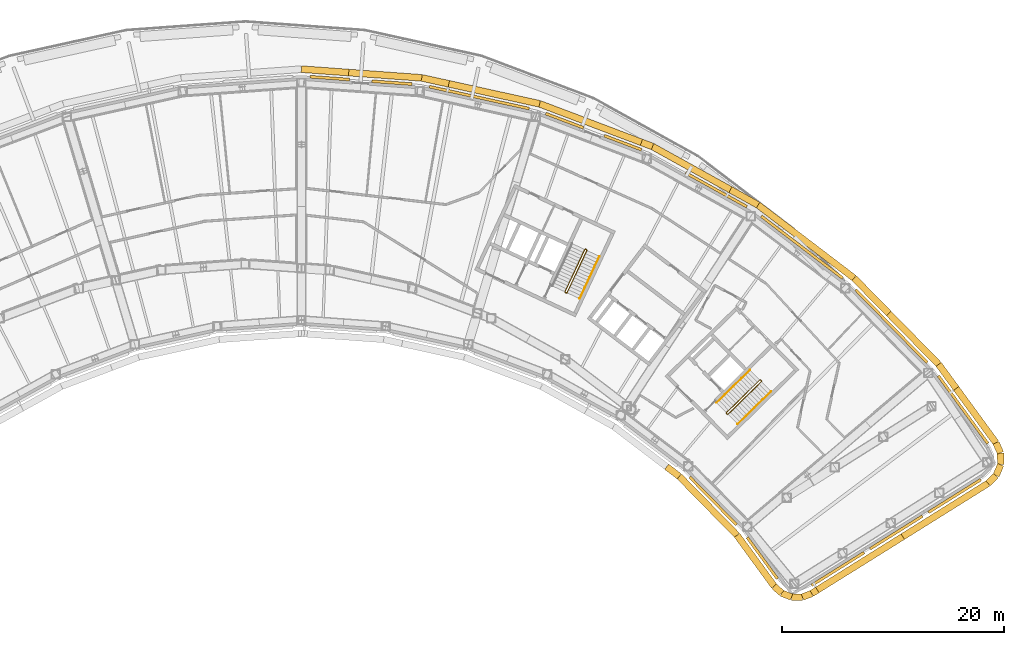
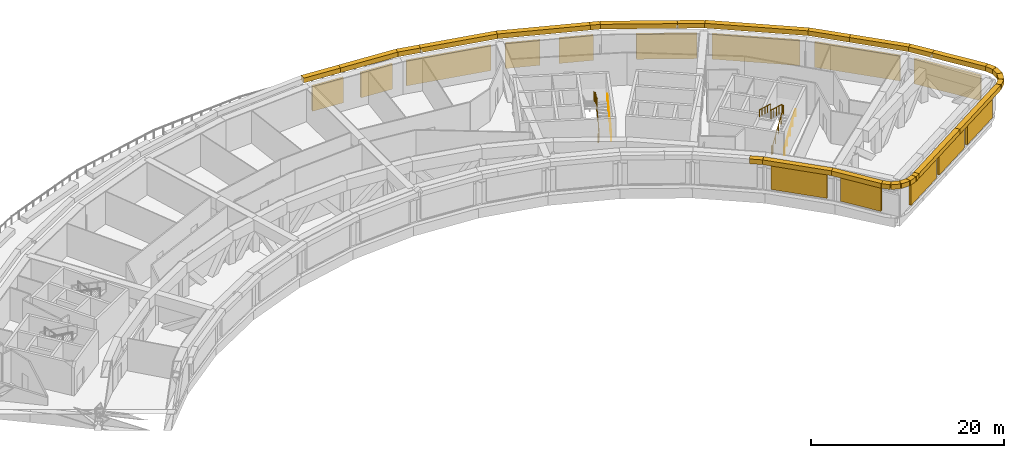
# One storey, part 22 of 24: 27 coverings, 14 shading devices, 5 railings.
"""IFC4 building model written with IfcOpenShell, lengths in metres."""

from ifc_helpers import new_model, si_unit, direction, frame, origin, origin_2d, place, context, subcontext, project, spatial, rectangle, circle, extrude, material, material_profile, profile_set, type_object, element, save


model = new_model("IFC4")

# Units and contexts
model_context = context("Model", 3, precision=1e-05, world=origin(), true_north=direction((0.0, 1.0)))
body_context = subcontext(model_context, "Body", "Model", "MODEL_VIEW")
ifc_project = project(units=[si_unit("LENGTHUNIT", "METRE"), si_unit("AREAUNIT", "SQUARE_METRE"), si_unit("VOLUMEUNIT", "CUBIC_METRE"), si_unit("PLANEANGLEUNIT", "RADIAN"), si_unit("MASSUNIT", "GRAM", prefix="KILO")], contexts=[model_context])

# Site, building, storey
site_placement = place(None, origin())
site = spatial("IfcSite", under=ifc_project, at=site_placement, CompositionType="ELEMENT")
building_placement = place(site_placement, origin())
building = spatial("IfcBuilding", under=site, at=building_placement, Name="Tuul Gate Civic Tower", CompositionType="ELEMENT")
storey_placement = place(building_placement, frame((0.0, 0.0, 94.800048828125)))
storey = spatial("IfcBuildingStorey", under=building, at=storey_placement, Name="Plant and refuge floor 3", CompositionType="ELEMENT", Elevation=94.800048828125)

# Shading devices
ifc_material_1 = material(Name="Aluminium louvre", Category="aluminium")
shading_device_type = type_object("IfcShadingDeviceType", Name="Louvre panel", PredefinedType="USERDEFINED", material=ifc_material_1)
shading_device_1_placement = place(storey_placement, frame((69.315673828125, -15.719482421875, 0.300048828125), z_axis=(0.0, 0.0, 1.0), x_axis=(0.807538053993, 0.58981547229, 0.0)))
element("IfcShadingDevice", 1, at=shading_device_1_placement, inside=storey, type_object=shading_device_type, Name="Louvre panel", ObjectType="LOUVRE", PredefinedType="USERDEFINED", context=body_context, shape_type="SweptSolid", body=[
    extrude(rectangle(XDim=0.25, YDim=7.550048828125, at=origin_2d()), origin(), (0.0, 0.0, 1.0), 3.14990234375),
])
for number, where, z_axis, x_axis, name in (
    (2, (62.874267578125, -8.214599609375, 0.300048828125), (0.0, 0.0, 1.0), (0.714145828559, 0.699996953959, 0.0), "Louvre panel"),
    (3, (54.8271484375, -1.112548828125, 0.300048828125), (0.0, 0.0, 1.0), (0.605807600786, 0.795611180684, 0.0), "Louvre panel"),
):
    element("IfcShadingDevice", number, at=place(storey_placement, frame(where, z_axis=z_axis, x_axis=x_axis)), inside=storey, type_object=shading_device_type, Name=name, ObjectType="LOUVRE", PredefinedType="USERDEFINED", context=body_context, shape_type="SweptSolid", body=[
        extrude(rectangle(XDim=0.25, YDim=9.199951171875, at=origin_2d()), origin(), (0.0, 0.0, 1.0), 3.14990234375),
    ])
shading_device_2_placement = place(storey_placement, frame((47.12451171875, 4.043701171875, 0.300048828125), z_axis=(0.0, 0.0, 1.0), x_axis=(0.48478912347, 0.874631068374, 0.0)))
element("IfcShadingDevice", 4, at=shading_device_2_placement, inside=storey, type_object=shading_device_type, Name="Louvre panel", ObjectType="LOUVRE", PredefinedType="USERDEFINED", context=body_context, shape_type="SweptSolid", body=[
    extrude(rectangle(XDim=0.25, YDim=6.300048828125, at=origin_2d()), origin(), (0.0, 0.0, 1.0), 3.14990234375),
])
shading_device_3_placement = place(storey_placement, frame((25.8154296875, 12.3271484375, 0.300048828125), z_axis=(0.0, 0.0, 1.0), x_axis=(0.215215147882, 0.976566659334, 0.0)))
element("IfcShadingDevice", 5, at=shading_device_3_placement, inside=storey, type_object=shading_device_type, Name="Louvre panel", ObjectType="LOUVRE", PredefinedType="USERDEFINED", context=body_context, shape_type="SweptSolid", body=[
    extrude(rectangle(XDim=0.25, YDim=9.199951171875, at=origin_2d()), origin(), (0.0, 0.0, 1.0), 3.14990234375),
])
shading_device_4_placement = place(storey_placement, frame((46.84228515625, -23.929931640625, 0.300048828125), z_axis=(0.0, 0.0, 1.0), x_axis=(-0.714113208541, -0.700030231767, 0.0)))
element("IfcShadingDevice", 6, at=shading_device_4_placement, inside=storey, type_object=shading_device_type, Name="Louvre panel", ObjectType="LOUVRE", PredefinedType="USERDEFINED", context=body_context, shape_type="SweptSolid", body=[
    extrude(rectangle(XDim=0.25, YDim=6.0, at=origin_2d()), origin(), (0.0, 0.0, 1.0), 3.14990234375),
])
shading_device_5_placement = place(storey_placement, frame((51.26513671875, -29.06884765625, 0.300048828125), z_axis=(0.0, 0.0, 1.0), x_axis=(-0.807595190444, -0.589737236717, 0.0)))
element("IfcShadingDevice", 7, at=shading_device_5_placement, inside=storey, type_object=shading_device_type, Name="Louvre panel", ObjectType="LOUVRE", PredefinedType="USERDEFINED", context=body_context, shape_type="SweptSolid", body=[
    extrude(rectangle(XDim=0.25, YDim=4.60009765625, at=origin_2d()), origin(), (0.0, 0.0, 1.0), 3.14990234375),
])
for number, where, z_axis, x_axis, name in (
    (8, (58.06396484375, -30.041748046875, 0.300048828125), (0.0, 0.0, 1.0), (0.529911707044, -0.848052818366, 0.0), "Louvre panel"),
    (9, (63.30712890625, -26.765625, 0.300048828125), (0.0, 0.0, 1.0), (0.529911707044, -0.848052818366, 0.0), "Louvre panel"),
    (10, (68.550537109375, -23.4892578125, 0.300048828125), (0.0, 0.0, 1.0), (0.529911707044, -0.848052818366, 0.0), "Louvre panel"),
):
    element("IfcShadingDevice", number, at=place(storey_placement, frame(where, z_axis=z_axis, x_axis=x_axis)), inside=storey, type_object=shading_device_type, Name=name, ObjectType="LOUVRE", PredefinedType="USERDEFINED", context=body_context, shape_type="SweptSolid", body=[
        extrude(rectangle(XDim=0.25, YDim=5.550048828125, at=origin_2d()), origin(), (0.0, 0.0, 1.0), 3.14990234375),
    ])
shading_device_6_placement = place(storey_placement, frame((38.72998046875, 8.27294921875, 0.300048828125), z_axis=(0.0, 0.0, 1.0), x_axis=(0.353652190923, 0.935376997716, 0.0)))
element("IfcShadingDevice", 11, at=shading_device_6_placement, inside=storey, type_object=shading_device_type, Name="Louvre panel", ObjectType="LOUVRE", PredefinedType="USERDEFINED", context=body_context, shape_type="SweptSolid", body=[
    extrude(rectangle(XDim=0.25, YDim=3.5810546875, at=origin_2d()), origin(), (0.0, 0.0, 1.0), 3.14990234375),
])
shading_device_7_placement = place(storey_placement, frame((33.491943359375, 10.25341796875, 0.300048828125), z_axis=(0.0, 0.0, 1.0), x_axis=(0.353652190923, 0.935376997716, 0.0)))
element("IfcShadingDevice", 12, at=shading_device_7_placement, inside=storey, type_object=shading_device_type, Name="Louvre panel", ObjectType="LOUVRE", PredefinedType="USERDEFINED", context=body_context, shape_type="SweptSolid", body=[
    extrude(rectangle(XDim=0.25, YDim=3.618896484375, at=origin_2d()), origin(), (0.0, 0.0, 1.0), 3.14990234375),
])
shading_device_8_placement = place(storey_placement, frame((17.9697265625, 13.6728515625, 0.300048828125), z_axis=(0.0, 0.0, 1.0), x_axis=(0.072331970867, 0.9973806124, 0.0)))
element("IfcShadingDevice", 13, at=shading_device_8_placement, inside=storey, type_object=shading_device_type, Name="Louvre panel", ObjectType="LOUVRE", PredefinedType="USERDEFINED", context=body_context, shape_type="SweptSolid", body=[
    extrude(rectangle(XDim=0.25, YDim=3.635986328125, at=origin_2d()), origin(), (0.0, 0.0, 1.0), 3.14990234375),
])
shading_device_9_placement = place(storey_placement, frame((12.38427734375, 14.078125, 0.300048828125), z_axis=(0.0, 0.0, 1.0), x_axis=(0.072331970867, 0.9973806124, 0.0)))
element("IfcShadingDevice", 14, at=shading_device_9_placement, inside=storey, type_object=shading_device_type, Name="Louvre panel", ObjectType="LOUVRE", PredefinedType="USERDEFINED", context=body_context, shape_type="SweptSolid", body=[
    extrude(rectangle(XDim=0.25, YDim=3.56396484375, at=origin_2d()), origin(), (0.0, 0.0, 1.0), 3.14990234375),
])

# Railings
ifc_material_2 = material(Name="Painted steel", Category="steel")
railing_type_1 = type_object("IfcRailingType", Name="Stair guard", PredefinedType="GUARDRAIL", material=ifc_material_2)
railing_1_placement = place(storey_placement, frame((48.10546875, -16.134765625, 0.0)))
element("IfcRailing", 15, at=railing_1_placement, inside=storey, type_object=railing_type_1, Name="Plant and refuge floor 3 ST-3 stair guard 1", PredefinedType="GUARDRAIL", context=body_context, shape_type="SweptSolid", body=[
    extrude(circle(Radius=0.02392578125, at=origin_2d()), frame((0.0, 0.0, 1.076171875), z_axis=(-0.698506948293, 0.715603272202, 0.0), x_axis=(-0.715603272202, -0.698506948293, 0.0)), (0.0, 0.0, 1.0), 0.099853515625),
    extrude(circle(Radius=0.02392578125, at=origin_2d()), frame((-0.06982421875, 0.071533203125, 1.076171875), z_axis=(0.645446321009, -0.331687692741, 0.688027849131), x_axis=(0.457068866502, 0.889431307788, 0.0)), (0.0, 0.0, 1.0), 0.2177734375),
    extrude(circle(Radius=0.02392578125, at=origin_2d()), frame((0.07080078125, -0.000732421875, 1.22607421875), z_axis=(0.638710346515, 0.626128506559, 0.447227220246), x_axis=(-0.700038283577, 0.714105315431, 0.0)), (0.0, 0.0, 1.0), 4.69580078125),
    extrude(circle(Radius=0.02392578125, at=origin_2d()), frame((3.070068359375, 2.939453125, 3.326171875), z_axis=(0.010380063588, 0.999946125689, 0.0), x_axis=(-0.999946125689, 0.010380063588, 0.0)), (0.0, 0.0, 1.0), 0.070556640625),
    extrude(circle(Radius=0.02392578125, at=origin_2d()), frame((3.07080078125, 3.010009765625, 3.326171875), z_axis=(-0.699754442181, 0.714383454909, 0.0), x_axis=(-0.714383454909, -0.699754442181, 0.0)), (0.0, 0.0, 1.0), 0.10009765625),
    extrude(circle(Radius=0.02392578125, at=origin_2d()), frame((3.000732421875, 3.08154296875, 3.326171875), z_axis=(-0.425863839831, 0.004420731901, 0.904776462478), x_axis=(-0.010380063588, -0.999946125689, 0.0)), (0.0, 0.0, 1.0), 0.165771484375),
    extrude(circle(Radius=0.02392578125, at=origin_2d()), frame((2.93017578125, 3.082275390625, 3.47607421875), z_axis=(-0.63874112625, -0.626107714751, 0.447212369201), x_axis=(0.700009225839, -0.714133799606, 0.0)), (0.0, 0.0, 1.0), 4.696044921875),
    extrude(circle(Radius=0.02099609375, at=origin_2d()), origin(), (0.0, 0.0, 1.0), 1.052001953125),
    extrude(circle(Radius=0.02099609375, at=origin_2d()), frame((-0.06982421875, 0.071533203125, 0.0)), (0.0, 0.0, 1.0), 1.052001953125),
    extrude(circle(Radius=0.02099609375, at=origin_2d()), frame((0.07080078125, -0.000732421875, 0.14990234375)), (0.0, 0.0, 1.0), 1.052001953125),
    extrude(circle(Radius=0.02099609375, at=origin_2d()), frame((0.820556640625, 0.734375, 0.6748046875)), (0.0, 0.0, 1.0), 1.052001953125),
    extrude(circle(Radius=0.02099609375, at=origin_2d()), frame((1.5703125, 1.46923828125, 1.199951171875)), (0.0, 0.0, 1.0), 1.052001953125),
    extrude(circle(Radius=0.02099609375, at=origin_2d()), frame((2.3203125, 2.204345703125, 1.72509765625)), (0.0, 0.0, 1.0), 1.052001953125),
    extrude(circle(Radius=0.02099609375, at=origin_2d()), frame((3.070068359375, 2.939453125, 2.25)), (0.0, 0.0, 1.0), 1.052001953125),
    extrude(circle(Radius=0.02099609375, at=origin_2d()), frame((3.07080078125, 3.010009765625, 2.25)), (0.0, 0.0, 1.0), 1.052001953125),
    extrude(circle(Radius=0.02099609375, at=origin_2d()), frame((3.000732421875, 3.08154296875, 2.25)), (0.0, 0.0, 1.0), 1.052001953125),
    extrude(circle(Radius=0.02099609375, at=origin_2d()), frame((2.93017578125, 3.082275390625, 2.39990234375)), (0.0, 0.0, 1.0), 1.052001953125),
    extrude(circle(Radius=0.02099609375, at=origin_2d()), frame((2.18017578125, 2.34716796875, 2.9248046875)), (0.0, 0.0, 1.0), 1.052001953125),
    extrude(circle(Radius=0.02099609375, at=origin_2d()), frame((1.430419921875, 1.6123046875, 3.449951171875)), (0.0, 0.0, 1.0), 1.052001953125),
    extrude(circle(Radius=0.02099609375, at=origin_2d()), frame((0.6806640625, 0.877197265625, 3.97509765625)), (0.0, 0.0, 1.0), 1.052001953125),
    extrude(circle(Radius=0.02099609375, at=origin_2d()), frame((-0.0693359375, 0.14208984375, 4.5)), (0.0, 0.0, 1.0), 1.052001953125),
])
railing_2_placement = place(storey_placement, frame((33.645751953125, -5.238525390625, 0.0)))
element("IfcRailing", 16, at=railing_2_placement, inside=storey, type_object=railing_type_1, Name="Plant and refuge floor 3 ST-4 stair guard 1", PredefinedType="GUARDRAIL", context=body_context, shape_type="SweptSolid", body=[
    extrude(circle(Radius=0.02392578125, at=origin_2d()), frame((0.0, 0.0, 1.076171875), z_axis=(-0.906307919131, 0.422617978463, 0.0), x_axis=(-0.422617978463, -0.906307919131, 0.0)), (0.0, 0.0, 1.0), 0.099853515625),
    extrude(circle(Radius=0.02392578125, at=origin_2d()), frame((-0.090576171875, 0.042236328125, 1.076171875), z_axis=(0.720735628292, -0.082946246491, 0.688229666829), x_axis=(0.114330889033, 0.993442724979, 0.0)), (0.0, 0.0, 1.0), 0.2177734375),
    extrude(circle(Radius=0.02392578125, at=origin_2d()), frame((0.06640625, 0.024169921875, 1.22607421875), z_axis=(0.377970874565, 0.810635746385, 0.447222209492), x_axis=(-0.906322681284, 0.422586319455, 0.0)), (0.0, 0.0, 1.0), 4.69580078125),
    extrude(circle(Radius=0.02392578125, at=origin_2d()), frame((1.84130859375, 3.830810546875, 3.326171875), z_axis=(-0.342020437038, 0.939692513883, 0.0), x_axis=(-0.939692513883, -0.342020437038, 0.0)), (0.0, 0.0, 1.0), 0.070556640625),
    extrude(circle(Radius=0.02392578125, at=origin_2d()), frame((1.817138671875, 3.897216796875, 3.326171875), z_axis=(-0.906742786819, 0.421684145483, 0.0), x_axis=(-0.421684145483, -0.906742786819, 0.0)), (0.0, 0.0, 1.0), 0.10009765625),
    extrude(circle(Radius=0.02392578125, at=origin_2d()), frame((1.726318359375, 3.939453125, 3.326171875), z_axis=(-0.40070210376, -0.145843780413, 0.904526072458), x_axis=(0.342020437038, -0.939692513883, 0.0)), (0.0, 0.0, 1.0), 0.165771484375),
    extrude(circle(Radius=0.02392578125, at=origin_2d()), frame((1.659912109375, 3.915283203125, 3.47607421875), z_axis=(-0.377926310225, -0.810651675474, 0.447230997462), x_axis=(0.906344943348, -0.422538570626, 0.0)), (0.0, 0.0, 1.0), 4.69580078125),
    extrude(circle(Radius=0.02099609375, at=origin_2d()), origin(), (0.0, 0.0, 1.0), 1.052001953125),
    extrude(circle(Radius=0.02099609375, at=origin_2d()), frame((-0.090576171875, 0.042236328125, 0.0)), (0.0, 0.0, 1.0), 1.052001953125),
    extrude(circle(Radius=0.02099609375, at=origin_2d()), frame((0.06640625, 0.024169921875, 0.14990234375)), (0.0, 0.0, 1.0), 1.052001953125),
    extrude(circle(Radius=0.02099609375, at=origin_2d()), frame((0.51025390625, 0.975830078125, 0.6748046875)), (0.0, 0.0, 1.0), 1.052001953125),
    extrude(circle(Radius=0.02099609375, at=origin_2d()), frame((0.953857421875, 1.927490234375, 1.199951171875)), (0.0, 0.0, 1.0), 1.052001953125),
    extrude(circle(Radius=0.02099609375, at=origin_2d()), frame((1.3974609375, 2.879150390625, 1.72509765625)), (0.0, 0.0, 1.0), 1.052001953125),
    extrude(circle(Radius=0.02099609375, at=origin_2d()), frame((1.84130859375, 3.830810546875, 2.25)), (0.0, 0.0, 1.0), 1.052001953125),
    extrude(circle(Radius=0.02099609375, at=origin_2d()), frame((1.817138671875, 3.897216796875, 2.25)), (0.0, 0.0, 1.0), 1.052001953125),
    extrude(circle(Radius=0.02099609375, at=origin_2d()), frame((1.726318359375, 3.939453125, 2.25)), (0.0, 0.0, 1.0), 1.052001953125),
    extrude(circle(Radius=0.02099609375, at=origin_2d()), frame((1.659912109375, 3.915283203125, 2.39990234375)), (0.0, 0.0, 1.0), 1.052001953125),
    extrude(circle(Radius=0.02099609375, at=origin_2d()), frame((1.21630859375, 2.963623046875, 2.9248046875)), (0.0, 0.0, 1.0), 1.052001953125),
    extrude(circle(Radius=0.02099609375, at=origin_2d()), frame((0.7724609375, 2.011962890625, 3.449951171875)), (0.0, 0.0, 1.0), 1.052001953125),
    extrude(circle(Radius=0.02099609375, at=origin_2d()), frame((0.328857421875, 1.060302734375, 3.97509765625)), (0.0, 0.0, 1.0), 1.052001953125),
    extrude(circle(Radius=0.02099609375, at=origin_2d()), frame((-0.11474609375, 0.108642578125, 4.5)), (0.0, 0.0, 1.0), 1.052001953125),
])
ifc_material_3 = material(Name="Painted steel", Category="steel")
railing_type_2 = type_object("IfcRailingType", Name="Stair handrail", PredefinedType="HANDRAIL", material=ifc_material_3)
railing_3_placement = place(storey_placement, frame((49.05126953125, -17.028076171875, 0.14990234375)))
element("IfcRailing", 17, at=railing_3_placement, inside=storey, type_object=railing_type_2, Name="Plant and refuge floor 3 ST-3 stair handrail 1", PredefinedType="HANDRAIL", context=body_context, shape_type="SweptSolid", body=[
    extrude(circle(Radius=0.02392578125, at=origin_2d()), frame((0.0, 0.0, 0.8759765625), z_axis=(0.638710346515, 0.626128506559, 0.447227220246), x_axis=(-0.700038283577, 0.714105315431, 0.0)), (0.0, 0.0, 1.0), 4.69580078125),
    extrude(circle(Radius=0.02099609375, at=origin_2d()), origin(), (0.0, 0.0, 1.0), 0.851806640625),
    extrude(circle(Radius=0.02099609375, at=origin_2d()), frame((0.749755859375, 0.735107421875, 0.52490234375)), (0.0, 0.0, 1.0), 0.851806640625),
    extrude(circle(Radius=0.02099609375, at=origin_2d()), frame((1.49951171875, 1.47021484375, 1.050048828125)), (0.0, 0.0, 1.0), 0.851806640625),
    extrude(circle(Radius=0.02099609375, at=origin_2d()), frame((2.24951171875, 2.205078125, 1.5751953125)), (0.0, 0.0, 1.0), 0.851806640625),
    extrude(circle(Radius=0.02099609375, at=origin_2d()), frame((2.999267578125, 2.940185546875, 2.10009765625)), (0.0, 0.0, 1.0), 0.851806640625),
])
railing_4_placement = place(storey_placement, frame((50.16064453125, -12.159912109375, 2.39990234375)))
element("IfcRailing", 18, at=railing_4_placement, inside=storey, type_object=railing_type_2, Name="Plant and refuge floor 3 ST-3 stair handrail 2", PredefinedType="HANDRAIL", context=body_context, shape_type="SweptSolid", body=[
    extrude(circle(Radius=0.02392578125, at=origin_2d()), frame((0.0, 0.0, 0.8759765625), z_axis=(-0.638761918021, -0.626076104249, 0.447226926487), x_axis=(0.699979580613, -0.714162857284, 0.0)), (0.0, 0.0, 1.0), 4.69580078125),
    extrude(circle(Radius=0.02099609375, at=origin_2d()), origin(), (0.0, 0.0, 1.0), 0.851806640625),
    extrude(circle(Radius=0.02099609375, at=origin_2d()), frame((-0.75, -0.73486328125, 0.52490234375)), (0.0, 0.0, 1.0), 0.851806640625),
    extrude(circle(Radius=0.02099609375, at=origin_2d()), frame((-1.499755859375, -1.469970703125, 1.050048828125)), (0.0, 0.0, 1.0), 0.851806640625),
    extrude(circle(Radius=0.02099609375, at=origin_2d()), frame((-2.24951171875, -2.205078125, 1.5751953125)), (0.0, 0.0, 1.0), 0.851806640625),
    extrude(circle(Radius=0.02099609375, at=origin_2d()), frame((-2.99951171875, -2.93994140625, 2.10009765625)), (0.0, 0.0, 1.0), 0.851806640625),
])
railing_5_placement = place(storey_placement, frame((34.844970703125, -5.74267578125, 0.14990234375)))
element("IfcRailing", 19, at=railing_5_placement, inside=storey, type_object=railing_type_2, Name="Plant and refuge floor 3 ST-4 stair handrail 1", PredefinedType="HANDRAIL", context=body_context, shape_type="SweptSolid", body=[
    extrude(circle(Radius=0.02392578125, at=origin_2d()), frame((0.0, 0.0, 0.8759765625), z_axis=(0.377970874565, 0.810635746385, 0.447222209492), x_axis=(-0.906322681284, 0.422586319455, 0.0)), (0.0, 0.0, 1.0), 4.69580078125),
    extrude(circle(Radius=0.02099609375, at=origin_2d()), origin(), (0.0, 0.0, 1.0), 0.851806640625),
    extrude(circle(Radius=0.02099609375, at=origin_2d()), frame((0.44384765625, 0.95166015625, 0.52490234375)), (0.0, 0.0, 1.0), 0.851806640625),
    extrude(circle(Radius=0.02099609375, at=origin_2d()), frame((0.887451171875, 1.9033203125, 1.050048828125)), (0.0, 0.0, 1.0), 0.851806640625),
    extrude(circle(Radius=0.02099609375, at=origin_2d()), frame((1.3310546875, 2.85498046875, 1.5751953125)), (0.0, 0.0, 1.0), 0.851806640625),
    extrude(circle(Radius=0.02099609375, at=origin_2d()), frame((1.77490234375, 3.806640625, 2.10009765625)), (0.0, 0.0, 1.0), 0.851806640625),
])

# Coverings
ifc_material_4 = material(Name="Terracotta baguette", Category="masonry")
ifc_material_profile = material_profile(ifc_material_4, rectangle(XDim=0.60009765625, YDim=0.60009765625, at=origin_2d()), Name="Terracotta baguette screen frame")
ifc_profile_set = profile_set([ifc_material_profile], Name="Terracotta baguette")
covering_type = type_object("IfcCoveringType", Name="Terracotta baguette screen frame", PredefinedType="CLADDING", material=ifc_profile_set)
covering_1_placement = place(storey_placement, frame((68.69921875, -13.815673828125, 4.14990234375), z_axis=(-0.589849818938, 0.80751296652, 0.0), x_axis=(-0.80751296652, -0.589849818938, 0.0)))
element("IfcCovering", 20, at=covering_1_placement, inside=storey, type_object=covering_type, Name="Baguette 21", PredefinedType="CLADDING", context=body_context, shape_type="SweptSolid", body=[
    extrude(rectangle(XDim=0.60009765625, YDim=0.60009765625, at=origin_2d()), origin(), (0.0, 0.0, 1.0), 2.6796875),
])
covering_2_placement = place(storey_placement, frame((67.11865234375, -11.65185546875, 4.14990234375), z_axis=(-0.699983010406, 0.714159495591, 0.0), x_axis=(-0.714159495591, -0.699983010406, 0.0)))
element("IfcCovering", 21, at=covering_2_placement, inside=storey, type_object=covering_type, Name="Baguette 22", PredefinedType="CLADDING", context=body_context, shape_type="SweptSolid", body=[
    extrude(rectangle(XDim=0.60009765625, YDim=0.60009765625, at=origin_2d()), origin(), (0.0, 0.0, 1.0), 6.406494140625),
])
covering_3_placement = place(storey_placement, frame((48.397705078125, 4.052490234375, 4.14990234375), z_axis=(-0.874620231092, 0.484808675009, 0.0), x_axis=(-0.484808675009, -0.874620231092, 0.0)))
element("IfcCovering", 22, at=covering_3_placement, inside=storey, type_object=covering_type, Name="Baguette 45", PredefinedType="CLADDING", context=body_context, shape_type="SweptSolid", body=[
    extrude(rectangle(XDim=0.60009765625, YDim=0.60009765625, at=origin_2d()), origin(), (0.0, 0.0, 1.0), 8.0029296875),
])
covering_4_placement = place(storey_placement, frame((41.398193359375, 7.932373046875, 4.14990234375), z_axis=(-0.935406677507, 0.353573680688, 0.0), x_axis=(-0.353573680688, -0.935406677507, 0.0)))
element("IfcCovering", 23, at=covering_4_placement, inside=storey, type_object=covering_type, Name="Baguette 46", PredefinedType="CLADDING", context=body_context, shape_type="SweptSolid", body=[
    extrude(rectangle(XDim=0.60009765625, YDim=0.60009765625, at=origin_2d()), origin(), (0.0, 0.0, 1.0), 1.069580078125),
])
covering_5_placement = place(storey_placement, frame((23.0810546875, 13.569580078125, 4.14990234375), z_axis=(-0.976571103923, 0.215194978989, 0.0), x_axis=(-0.215194978989, -0.976571103923, 0.0)))
element("IfcCovering", 24, at=covering_5_placement, inside=storey, type_object=covering_type, Name="Baguette 63", PredefinedType="CLADDING", context=body_context, shape_type="SweptSolid", body=[
    extrude(rectangle(XDim=0.60009765625, YDim=0.60009765625, at=origin_2d()), origin(), (0.0, 0.0, 1.0), 2.488037109375),
])
covering_6_placement = place(storey_placement, frame((20.6513671875, 14.10498046875, 4.14990234375), z_axis=(-0.997379990438, 0.072340546539, 0.0), x_axis=(-0.072340546539, -0.997379990438, 0.0)))
element("IfcCovering", 25, at=covering_6_placement, inside=storey, type_object=covering_type, Name="Baguette 64", PredefinedType="CLADDING", context=body_context, shape_type="SweptSolid", body=[
    extrude(rectangle(XDim=0.60009765625, YDim=0.60009765625, at=origin_2d()), origin(), (0.0, 0.0, 1.0), 6.58447265625),
])
covering_7_placement = place(storey_placement, frame((56.2138671875, -31.934814453125, 4.14990234375), z_axis=(0.848058898511, 0.529901976461, 0.0), x_axis=(-0.529901976461, 0.848058898511, 0.0)))
element("IfcCovering", 26, at=covering_7_placement, inside=storey, type_object=covering_type, Name="Baguette 282", PredefinedType="CLADDING", context=body_context, shape_type="SweptSolid", body=[
    extrude(rectangle(XDim=0.60009765625, YDim=0.60009765625, at=origin_2d()), origin(), (0.0, 0.0, 1.0), 9.05322265625),
])
covering_8_placement = place(storey_placement, frame((62.63427734375, -7.07666015625, 4.14990234375), z_axis=(-0.699986292885, 0.714156278257, 0.0), x_axis=(-0.714156278257, -0.699986292885, 0.0)))
element("IfcCovering", 27, at=covering_8_placement, inside=storey, type_object=covering_type, Name="Baguette 377", PredefinedType="CLADDING", context=body_context, shape_type="SweptSolid", body=[
    extrude(rectangle(XDim=0.60009765625, YDim=0.60009765625, at=origin_2d()), origin(), (0.0, 0.0, 1.0), 4.445068359375),
])
covering_9_placement = place(storey_placement, frame((59.522705078125, -3.902099609375, 4.14990234375), z_axis=(-0.795618643442, 0.605797799771, 0.0), x_axis=(-0.605797799771, -0.795618643442, 0.0)))
element("IfcCovering", 28, at=covering_9_placement, inside=storey, type_object=covering_type, Name="Baguette 378", PredefinedType="CLADDING", context=body_context, shape_type="SweptSolid", body=[
    extrude(rectangle(XDim=0.60009765625, YDim=0.60009765625, at=origin_2d()), origin(), (0.0, 0.0, 1.0), 10.851318359375),
])
covering_10_placement = place(storey_placement, frame((50.88916015625, 2.671630859375, 4.14990234375), z_axis=(-0.874646012797, 0.484762160547, 0.0), x_axis=(-0.484762160547, -0.874646012797, 0.0)))
element("IfcCovering", 29, at=covering_10_placement, inside=storey, type_object=covering_type, Name="Baguette 379", PredefinedType="CLADDING", context=body_context, shape_type="SweptSolid", body=[
    extrude(rectangle(XDim=0.60009765625, YDim=0.60009765625, at=origin_2d()), origin(), (0.0, 0.0, 1.0), 2.8486328125),
])
covering_11_placement = place(storey_placement, frame((40.397705078125, 8.310546875, 4.14990234375), z_axis=(-0.935377993624, 0.353649556827, 0.0), x_axis=(-0.353649556827, -0.935377993624, 0.0)))
element("IfcCovering", 30, at=covering_11_placement, inside=storey, type_object=covering_type, Name="Baguette 380", PredefinedType="CLADDING", context=body_context, shape_type="SweptSolid", body=[
    extrude(rectangle(XDim=0.60009765625, YDim=0.60009765625, at=origin_2d()), origin(), (0.0, 0.0, 1.0), 9.781494140625),
])
covering_12_placement = place(storey_placement, frame((31.248291015625, 11.769775390625, 4.14990234375), z_axis=(-0.97656881378, 0.215205371572, 0.0), x_axis=(-0.215205371572, -0.97656881378, 0.0)))
element("IfcCovering", 31, at=covering_12_placement, inside=storey, type_object=covering_type, Name="Baguette 381", PredefinedType="CLADDING", context=body_context, shape_type="SweptSolid", body=[
    extrude(rectangle(XDim=0.60009765625, YDim=0.60009765625, at=origin_2d()), origin(), (0.0, 0.0, 1.0), 8.36328125),
])
covering_13_placement = place(storey_placement, frame((14.084228515625, 14.581298828125, 4.14990234375), z_axis=(-0.997380549591, 0.07233283692, 0.0), x_axis=(-0.07233283692, -0.997380549591, 0.0)))
element("IfcCovering", 32, at=covering_13_placement, inside=storey, type_object=covering_type, Name="Baguette 382", PredefinedType="CLADDING", context=body_context, shape_type="SweptSolid", body=[
    extrude(rectangle(XDim=0.60009765625, YDim=0.60009765625, at=origin_2d()), origin(), (0.0, 0.0, 1.0), 4.266357421875),
])
covering_14_placement = place(storey_placement, frame((42.670654296875, -20.859130859375, 4.14990234375), z_axis=(0.795538364429, -0.605903218939, 0.0), x_axis=(0.605903218939, 0.795538364429, 0.0)))
element("IfcCovering", 33, at=covering_14_placement, inside=storey, type_object=covering_type, Name="Baguette 401", PredefinedType="CLADDING", context=body_context, shape_type="SweptSolid", body=[
    extrude(rectangle(XDim=0.60009765625, YDim=0.60009765625, at=origin_2d()), origin(), (0.0, 0.0, 1.0), 1.418701171875),
])
covering_15_placement = place(storey_placement, frame((43.79931640625, -21.71875, 4.14990234375), z_axis=(0.700045416035, -0.714098323404, 0.0), x_axis=(0.714098323404, 0.700045416035, 0.0)))
element("IfcCovering", 34, at=covering_15_placement, inside=storey, type_object=covering_type, Name="Baguette 402", PredefinedType="CLADDING", context=body_context, shape_type="SweptSolid", body=[
    extrude(rectangle(XDim=0.60009765625, YDim=0.60009765625, at=origin_2d()), origin(), (0.0, 0.0, 1.0), 7.418212890625),
])
covering_16_placement = place(storey_placement, frame((48.992431640625, -27.01611328125, 4.14990234375), z_axis=(0.589729447422, -0.807600878432, 0.0), x_axis=(0.807600878432, 0.589729447422, 0.0)))
element("IfcCovering", 35, at=covering_16_placement, inside=storey, type_object=covering_type, Name="Baguette 403", PredefinedType="CLADDING", context=body_context, shape_type="SweptSolid", body=[
    extrude(rectangle(XDim=0.60009765625, YDim=0.60009765625, at=origin_2d()), origin(), (0.0, 0.0, 1.0), 5.671142578125),
])
covering_17_placement = place(storey_placement, frame((52.3369140625, -31.59619140625, 4.14990234375), z_axis=(0.729874818013, -0.683580829185, 0.0), x_axis=(0.683580829185, 0.729874818013, 0.0)))
element("IfcCovering", 36, at=covering_17_placement, inside=storey, type_object=covering_type, Name="Baguette 404", PredefinedType="CLADDING", context=body_context, shape_type="SweptSolid", body=[
    extrude(rectangle(XDim=0.60009765625, YDim=0.60009765625, at=origin_2d()), origin(), (0.0, 0.0, 1.0), 0.90185546875),
])
covering_18_placement = place(storey_placement, frame((52.9951171875, -32.212646484375, 4.14990234375), z_axis=(0.92951118864, -0.368793912902, 0.0), x_axis=(0.368793912902, 0.92951118864, 0.0)))
element("IfcCovering", 37, at=covering_18_placement, inside=storey, type_object=covering_type, Name="Baguette 405", PredefinedType="CLADDING", context=body_context, shape_type="SweptSolid", body=[
    extrude(rectangle(XDim=0.60009765625, YDim=0.60009765625, at=origin_2d()), origin(), (0.0, 0.0, 1.0), 0.97314453125),
])
covering_19_placement = place(storey_placement, frame((53.899658203125, -32.571533203125, 4.14990234375), z_axis=(0.99999546609, -0.003011278693, 0.0), x_axis=(0.003011278693, 0.99999546609, 0.0)))
element("IfcCovering", 38, at=covering_19_placement, inside=storey, type_object=covering_type, Name="Baguette 406", PredefinedType="CLADDING", context=body_context, shape_type="SweptSolid", body=[
    extrude(rectangle(XDim=0.60009765625, YDim=0.60009765625, at=origin_2d()), origin(), (0.0, 0.0, 1.0), 0.972900390625),
])
covering_20_placement = place(storey_placement, frame((54.87255859375, -32.574462890625, 4.14990234375), z_axis=(0.931979284309, 0.362511535842, 0.0), x_axis=(-0.362511535842, 0.931979284309, 0.0)))
element("IfcCovering", 39, at=covering_20_placement, inside=storey, type_object=covering_type, Name="Baguette 407", PredefinedType="CLADDING", context=body_context, shape_type="SweptSolid", body=[
    extrude(rectangle(XDim=0.60009765625, YDim=0.60009765625, at=origin_2d()), origin(), (0.0, 0.0, 1.0), 0.90234375),
])
covering_21_placement = place(storey_placement, frame((55.713623046875, -32.247314453125, 4.14990234375), z_axis=(0.848114552231, 0.52981289744, 0.0), x_axis=(-0.52981289744, 0.848114552231, 0.0)))
element("IfcCovering", 40, at=covering_21_placement, inside=storey, type_object=covering_type, Name="Baguette 408", PredefinedType="CLADDING", context=body_context, shape_type="SweptSolid", body=[
    extrude(rectangle(XDim=0.60009765625, YDim=0.60009765625, at=origin_2d()), origin(), (0.0, 0.0, 1.0), 0.58984375),
])
covering_22_placement = place(storey_placement, frame((63.8916015625, -27.137451171875, 4.14990234375), z_axis=(0.848046779804, 0.529921370832, 0.0), x_axis=(-0.529921370832, 0.848046779804, 0.0)))
element("IfcCovering", 41, at=covering_22_placement, inside=storey, type_object=covering_type, Name="Baguette 409", PredefinedType="CLADDING", context=body_context, shape_type="SweptSolid", body=[
    extrude(rectangle(XDim=0.60009765625, YDim=0.60009765625, at=origin_2d()), origin(), (0.0, 0.0, 1.0), 9.053466796875),
])
covering_23_placement = place(storey_placement, frame((71.5693359375, -22.33984375, 4.14990234375), z_axis=(0.721550422979, 0.69236189027, 0.0), x_axis=(-0.69236189027, 0.721550422979, 0.0)))
element("IfcCovering", 42, at=covering_23_placement, inside=storey, type_object=covering_type, Name="Baguette 410", PredefinedType="CLADDING", context=body_context, shape_type="SweptSolid", body=[
    extrude(rectangle(XDim=0.60009765625, YDim=0.60009765625, at=origin_2d()), origin(), (0.0, 0.0, 1.0), 0.987060546875),
])
for number, where, z_axis, x_axis, name in (
    (43, (72.281494140625, -21.656494140625, 4.14990234375), (0.386726676251, 0.922194381829, 0.0), (-0.922194381829, 0.386726676251, 0.0), "Baguette 411"),
    (44, (72.694091796875, -20.672607421875, 4.14990234375), (-0.014414978083, 0.999896098806, 0.0), (-0.999896098806, -0.014414978083, 0.0), "Baguette 412"),
):
    element("IfcCovering", number, at=place(storey_placement, frame(where, z_axis=z_axis, x_axis=x_axis)), inside=storey, type_object=covering_type, Name=name, PredefinedType="CLADDING", context=body_context, shape_type="SweptSolid", body=[
        extrude(rectangle(XDim=0.60009765625, YDim=0.60009765625, at=origin_2d()), origin(), (0.0, 0.0, 1.0), 1.06689453125),
    ])
covering_24_placement = place(storey_placement, frame((72.6787109375, -19.605712890625, 4.14990234375), z_axis=(-0.4130215853, 0.910721236206, 0.0), x_axis=(-0.910721236206, -0.4130215853, 0.0)))
element("IfcCovering", 45, at=covering_24_placement, inside=storey, type_object=covering_type, Name="Baguette 413", PredefinedType="CLADDING", context=body_context, shape_type="SweptSolid", body=[
    extrude(rectangle(XDim=0.60009765625, YDim=0.60009765625, at=origin_2d()), origin(), (0.0, 0.0, 1.0), 0.989013671875),
])
covering_25_placement = place(storey_placement, frame((72.270263671875, -18.705078125, 4.14990234375), z_axis=(-0.58980325004, 0.807546980827, 0.0), x_axis=(-0.807546980827, -0.58980325004, 0.0)))
element("IfcCovering", 46, at=covering_25_placement, inside=storey, type_object=covering_type, Name="Baguette 414", PredefinedType="CLADDING", context=body_context, shape_type="SweptSolid", body=[
    extrude(rectangle(XDim=0.60009765625, YDim=0.60009765625, at=origin_2d()), origin(), (0.0, 0.0, 1.0), 6.0546875),
])

save(model, "model.ifc")
